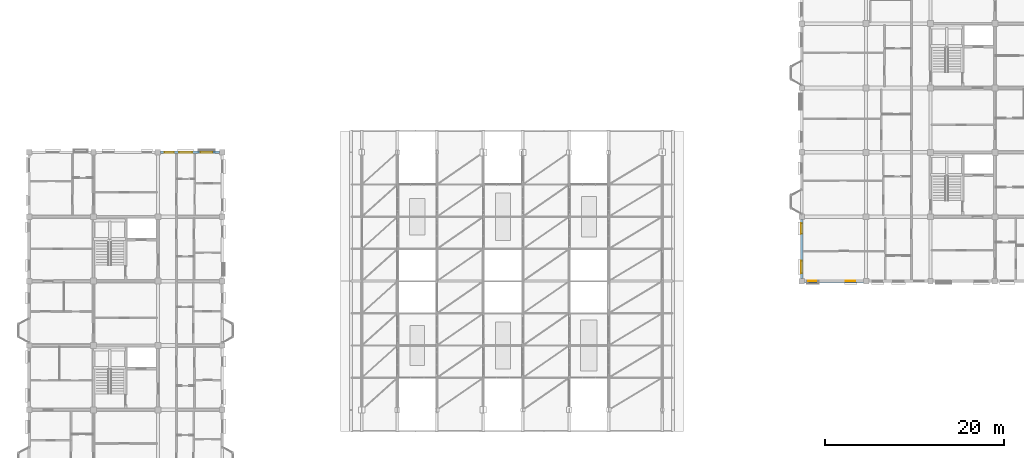
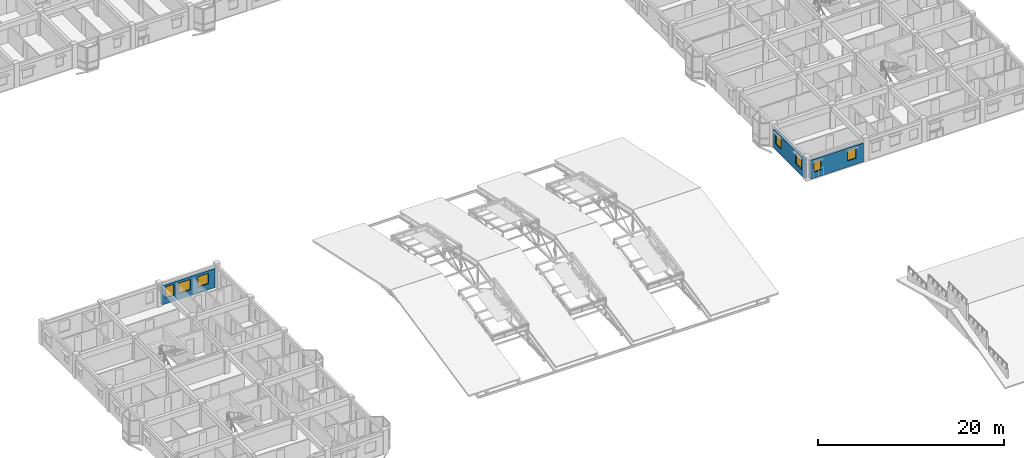
# One storey, part 99 of 124: 7 windows, 3 walls, 7 openings.
"""IFC4 building model written with IfcOpenShell, lengths in metres."""

from ifc_helpers import new_model, si_unit, direction, frame, frame_2d, origin, place, context, subcontext, project, spatial, rectangle, extrude, material, layer, layer_set, type_object, element, fill, save


model = new_model("IFC4")

# Units and contexts
model_context = context("Model", 3, precision=1e-05, world=origin(), true_north=direction((0.0, 1.0)))
body_context = subcontext(model_context, "Body", "Model", "MODEL_VIEW")
ifc_project = project(units=[si_unit("LENGTHUNIT", "METRE"), si_unit("AREAUNIT", "SQUARE_METRE"), si_unit("VOLUMEUNIT", "CUBIC_METRE"), si_unit("PLANEANGLEUNIT", "RADIAN"), si_unit("MASSUNIT", "GRAM", prefix="KILO"), si_unit("THERMODYNAMICTEMPERATUREUNIT", "KELVIN"), si_unit("POWERUNIT", "WATT")], contexts=[model_context])

# Site, building, storey
site_placement = place(None, origin())
site = spatial("IfcSite", under=ifc_project, at=site_placement, CompositionType="ELEMENT")
building_placement = place(site_placement, origin())
building = spatial("IfcBuilding", under=site, at=building_placement, Name="Tavuni Mirador Residences", CompositionType="ELEMENT")
storey_placement = place(building_placement, frame((0.0, 0.0, 7.64990234375)))
storey = spatial("IfcBuildingStorey", under=building, at=storey_placement, Name="L02", CompositionType="ELEMENT", Elevation=7.64990234375)

# Wall, openings, windows
ifc_material_1 = material(Name="Sgraffito lime-rendered precast concrete C40/50", Category="concrete")
ifc_layer_1 = layer(ifc_material_1, 0.27490234375, Name="Sgraffito lime-rendered precast concrete C40/50", Category="concrete")
ifc_layer_set_1 = layer_set([ifc_layer_1], Name="Sgraffito lime-rendered precast concrete C40/50")
wall_type_1 = type_object("IfcWallType", Name="WT-EXT-PC275", PredefinedType="SOLIDWALL", material=ifc_layer_set_1)
wall_1_placement = place(storey_placement, frame((24.89990234375, 100.800048828125, 0.0), z_axis=(0.0, 0.0, 1.0), x_axis=(-1.0, 0.0, 0.0)))
wall_1 = element("IfcWall", 1, at=wall_1_placement, inside=storey, type_object=wall_type_1, Name="EW-BLK-B-L02-N02", PredefinedType="SOLIDWALL", context=body_context, shape_type="SweptSolid", body=[
    extrude(rectangle(XDim=6.599853515625, YDim=0.27490234375, at=frame_2d((3.2998046875, 0.0))), origin(), (0.0, 0.0, 1.0), 2.47998046875),
])
opening_1_placement = place(wall_1_placement, frame((0.81005859375, 0.0, 0.780029296875)))
opening_1 = element("IfcOpeningElement", 2, at=opening_1_placement, cuts=wall_1, Name="Opening WN-22", PredefinedType="OPENING", context=body_context, shape_type="SweptSolid", body=[
    extrude(rectangle(XDim=1.300048828125, YDim=1.360107421875, at=frame_2d((0.64990234375, 0.68017578125))), frame((0.0, 0.1474609375, 0.0), z_axis=(0.0, -1.0, 0.0), x_axis=(1.0, 0.0, 0.0)), (0.0, 0.0, 1.0), 0.294921875),
])
opening_2_placement = place(wall_1_placement, frame((3.06005859375, 0.0, 0.780029296875)))
opening_2 = element("IfcOpeningElement", 3, at=opening_2_placement, cuts=wall_1, Name="Opening WN-24", PredefinedType="OPENING", context=body_context, shape_type="SweptSolid", body=[
    extrude(rectangle(XDim=1.4599609375, YDim=1.360107421875, at=frame_2d((0.72998046875, 0.68017578125))), frame((0.0, 0.1474609375, 0.0), z_axis=(0.0, -1.0, 0.0), x_axis=(1.0, 0.0, 0.0)), (0.0, 0.0, 1.0), 0.294921875),
])
opening_3_placement = place(wall_1_placement, frame((5.10498046875, 0.0, 0.780029296875)))
opening_3 = element("IfcOpeningElement", 4, at=opening_3_placement, cuts=wall_1, Name="Opening WN-26", PredefinedType="OPENING", context=body_context, shape_type="SweptSolid", body=[
    extrude(rectangle(XDim=1.050048828125, YDim=1.43994140625, at=frame_2d((0.52490234375, 0.719970703125))), frame((0.0, 0.1474609375, 0.0), z_axis=(0.0, -1.0, 0.0), x_axis=(1.0, 0.0, 0.0)), (0.0, 0.0, 1.0), 0.294921875),
])
ifc_material_2 = material(Name="Laminated solar-control glass", Category="glass")
window_type_1 = type_object("IfcWindowType", Name="WNT-22", PartitioningType="SINGLE_PANEL", PredefinedType="WINDOW", material=ifc_material_2)
window_1_placement = place(opening_1_placement, origin())
window_1 = element("IfcWindow", 5, at=window_1_placement, inside=storey, type_object=window_type_1, Name="WIN-0619", OverallHeight=1.360107421875, OverallWidth=1.300048828125, PartitioningType="SINGLE_PANEL", PredefinedType="WINDOW", context=body_context, shape_type="SweptSolid", body=[
    extrude(rectangle(XDim=1.300048828125, YDim=1.360107421875, at=frame_2d((0.64990234375, 0.68017578125))), frame((0.0, 0.030029296875, 0.0), z_axis=(0.0, -1.0, 0.0), x_axis=(1.0, 0.0, 0.0)), (0.0, 0.0, 1.0), 0.06005859375),
])
fill(opening_1, window_1)
window_type_2 = type_object("IfcWindowType", Name="WNT-24", PartitioningType="SINGLE_PANEL", PredefinedType="WINDOW", material=ifc_material_2)
window_2_placement = place(opening_2_placement, origin())
window_2 = element("IfcWindow", 6, at=window_2_placement, inside=storey, type_object=window_type_2, Name="WIN-0620", OverallHeight=1.360107421875, OverallWidth=1.4599609375, PartitioningType="SINGLE_PANEL", PredefinedType="WINDOW", context=body_context, shape_type="SweptSolid", body=[
    extrude(rectangle(XDim=1.4599609375, YDim=1.360107421875, at=frame_2d((0.72998046875, 0.68017578125))), frame((0.0, 0.030029296875, 0.0), z_axis=(0.0, -1.0, 0.0), x_axis=(1.0, 0.0, 0.0)), (0.0, 0.0, 1.0), 0.06005859375),
])
fill(opening_2, window_2)
window_type_3 = type_object("IfcWindowType", Name="WNT-26", PartitioningType="SINGLE_PANEL", PredefinedType="WINDOW", material=ifc_material_2)
window_3_placement = place(opening_3_placement, origin())
window_3 = element("IfcWindow", 7, at=window_3_placement, inside=storey, type_object=window_type_3, Name="WIN-0621", OverallHeight=1.43994140625, OverallWidth=1.050048828125, PartitioningType="SINGLE_PANEL", PredefinedType="WINDOW", context=body_context, shape_type="SweptSolid", body=[
    extrude(rectangle(XDim=1.050048828125, YDim=1.43994140625, at=frame_2d((0.52490234375, 0.719970703125))), frame((0.0, 0.030029296875, 0.0), z_axis=(0.0, -1.0, 0.0), x_axis=(1.0, 0.0, 0.0)), (0.0, 0.0, 1.0), 0.06005859375),
])
fill(opening_3, window_3)

ifc_layer_2 = layer(ifc_material_1, 0.304931640625, Name="Sgraffito lime-rendered precast concrete C40/50", Category="concrete")
ifc_layer_set_2 = layer_set([ifc_layer_2], Name="Sgraffito lime-rendered precast concrete C40/50")
wall_type_2 = type_object("IfcWallType", Name="WT-EXT-PC305", PredefinedType="SOLIDWALL", material=ifc_layer_set_2)
wall_2_placement = place(storey_placement, frame((90.300048828125, 86.39990234375, 0.0), z_axis=(0.0, 0.0, 1.0), x_axis=(1.0, 0.0, 0.0)))
wall_2 = element("IfcWall", 8, at=wall_2_placement, inside=storey, type_object=wall_type_2, Name="EW-BLK-D-L02-S00", PredefinedType="SOLIDWALL", context=body_context, shape_type="SweptSolid", body=[
    extrude(rectangle(XDim=6.599853515625, YDim=0.304931640625, at=frame_2d((3.2998046875, 0.0))), origin(), (0.0, 0.0, 1.0), 2.460205078125),
])
opening_4_placement = place(wall_2_placement, frame((0.449951171875, 0.0, 0.780029296875)))
opening_4 = element("IfcOpeningElement", 9, at=opening_4_placement, cuts=wall_2, Name="Opening WN-17", PredefinedType="OPENING", context=body_context, shape_type="SweptSolid", body=[
    extrude(rectangle(XDim=0.89990234375, YDim=1.360107421875, at=frame_2d((0.449951171875, 0.68017578125))), frame((0.0, 0.16259765625, 0.0), z_axis=(0.0, -1.0, 0.0), x_axis=(1.0, 0.0, 0.0)), (0.0, 0.0, 1.0), 0.324951171875),
])
opening_5_placement = place(wall_2_placement, frame((4.64990234375, 0.0, 0.780029296875)))
opening_5 = element("IfcOpeningElement", 10, at=opening_5_placement, cuts=wall_2, Name="Opening WN-19", PredefinedType="OPENING", context=body_context, shape_type="SweptSolid", body=[
    extrude(rectangle(XDim=1.06005859375, YDim=1.360107421875, at=frame_2d((0.530029296875, 0.68017578125))), frame((0.0, 0.16259765625, 0.0), z_axis=(0.0, -1.0, 0.0), x_axis=(1.0, 0.0, 0.0)), (0.0, 0.0, 1.0), 0.324951171875),
])
window_type_4 = type_object("IfcWindowType", Name="WNT-17", PartitioningType="SINGLE_PANEL", PredefinedType="WINDOW", material=ifc_material_2)
window_4_placement = place(opening_4_placement, origin())
window_4 = element("IfcWindow", 11, at=window_4_placement, inside=storey, type_object=window_type_4, Name="WIN-1484", OverallHeight=1.360107421875, OverallWidth=0.89990234375, PartitioningType="SINGLE_PANEL", PredefinedType="WINDOW", context=body_context, shape_type="SweptSolid", body=[
    extrude(rectangle(XDim=0.89990234375, YDim=1.360107421875, at=frame_2d((0.449951171875, 0.68017578125))), frame((0.0, 0.030029296875, 0.0), z_axis=(0.0, -1.0, 0.0), x_axis=(1.0, 0.0, 0.0)), (0.0, 0.0, 1.0), 0.06005859375),
])
fill(opening_4, window_4)
window_type_5 = type_object("IfcWindowType", Name="WNT-19", PartitioningType="SINGLE_PANEL", PredefinedType="WINDOW", material=ifc_material_2)
window_5_placement = place(opening_5_placement, origin())
window_5 = element("IfcWindow", 12, at=window_5_placement, inside=storey, type_object=window_type_5, Name="WIN-1485", OverallHeight=1.360107421875, OverallWidth=1.06005859375, PartitioningType="SINGLE_PANEL", PredefinedType="WINDOW", context=body_context, shape_type="SweptSolid", body=[
    extrude(rectangle(XDim=1.06005859375, YDim=1.360107421875, at=frame_2d((0.530029296875, 0.68017578125))), frame((0.0, 0.030029296875, 0.0), z_axis=(0.0, -1.0, 0.0), x_axis=(1.0, 0.0, 0.0)), (0.0, 0.0, 1.0), 0.06005859375),
])
fill(opening_5, window_5)

wall_3_placement = place(storey_placement, frame((90.0, 93.300048828125, 0.0), z_axis=(0.0, 0.0, 1.0), x_axis=(0.0, -1.0, 0.0)))
wall_3 = element("IfcWall", 13, at=wall_3_placement, inside=storey, type_object=wall_type_2, Name="EW-BLK-D-L02-W00", PredefinedType="SOLIDWALL", context=body_context, shape_type="SweptSolid", body=[
    extrude(rectangle(XDim=6.60009765625, YDim=0.304931640625, at=frame_2d((3.300048828125, 0.0))), origin(), (0.0, 0.0, 1.0), 2.460205078125),
])
opening_6_placement = place(wall_3_placement, frame((0.449951171875, 0.0, 0.780029296875)))
opening_6 = element("IfcOpeningElement", 14, at=opening_6_placement, cuts=wall_3, Name="Opening WN-27", PredefinedType="OPENING", context=body_context, shape_type="SweptSolid", body=[
    extrude(rectangle(XDim=1.14990234375, YDim=1.43994140625, at=frame_2d((0.574951171875, 0.719970703125))), frame((0.0, 0.16259765625, 0.0), z_axis=(0.0, -1.0, 0.0), x_axis=(1.0, 0.0, 0.0)), (0.0, 0.0, 1.0), 0.324951171875),
])
opening_7_placement = place(wall_3_placement, frame((4.64990234375, 0.0, 0.780029296875)))
opening_7 = element("IfcOpeningElement", 15, at=opening_7_placement, cuts=wall_3, Name="Opening WN-29", PredefinedType="OPENING", context=body_context, shape_type="SweptSolid", body=[
    extrude(rectangle(XDim=1.35009765625, YDim=1.43994140625, at=frame_2d((0.675048828125, 0.719970703125))), frame((0.0, 0.16259765625, 0.0), z_axis=(0.0, -1.0, 0.0), x_axis=(1.0, 0.0, 0.0)), (0.0, 0.0, 1.0), 0.324951171875),
])
window_type_6 = type_object("IfcWindowType", Name="WNT-27", PartitioningType="SINGLE_PANEL", PredefinedType="WINDOW", material=ifc_material_2)
window_6_placement = place(opening_6_placement, origin())
window_6 = element("IfcWindow", 16, at=window_6_placement, inside=storey, type_object=window_type_6, Name="WIN-1524", OverallHeight=1.43994140625, OverallWidth=1.14990234375, PartitioningType="SINGLE_PANEL", PredefinedType="WINDOW", context=body_context, shape_type="SweptSolid", body=[
    extrude(rectangle(XDim=1.14990234375, YDim=1.43994140625, at=frame_2d((0.574951171875, 0.719970703125))), frame((0.0, 0.030029296875, 0.0), z_axis=(0.0, -1.0, 0.0), x_axis=(1.0, 0.0, 0.0)), (0.0, 0.0, 1.0), 0.06005859375),
])
fill(opening_6, window_6)
window_type_7 = type_object("IfcWindowType", Name="WNT-29", PartitioningType="SINGLE_PANEL", PredefinedType="WINDOW", material=ifc_material_2)
window_7_placement = place(opening_7_placement, origin())
window_7 = element("IfcWindow", 17, at=window_7_placement, inside=storey, type_object=window_type_7, Name="WIN-1525", OverallHeight=1.43994140625, OverallWidth=1.35009765625, PartitioningType="SINGLE_PANEL", PredefinedType="WINDOW", context=body_context, shape_type="SweptSolid", body=[
    extrude(rectangle(XDim=1.35009765625, YDim=1.43994140625, at=frame_2d((0.675048828125, 0.719970703125))), frame((0.0, 0.030029296875, 0.0), z_axis=(0.0, -1.0, 0.0), x_axis=(1.0, 0.0, 0.0)), (0.0, 0.0, 1.0), 0.06005859375),
])
fill(opening_7, window_7)

save(model, "model.ifc")
